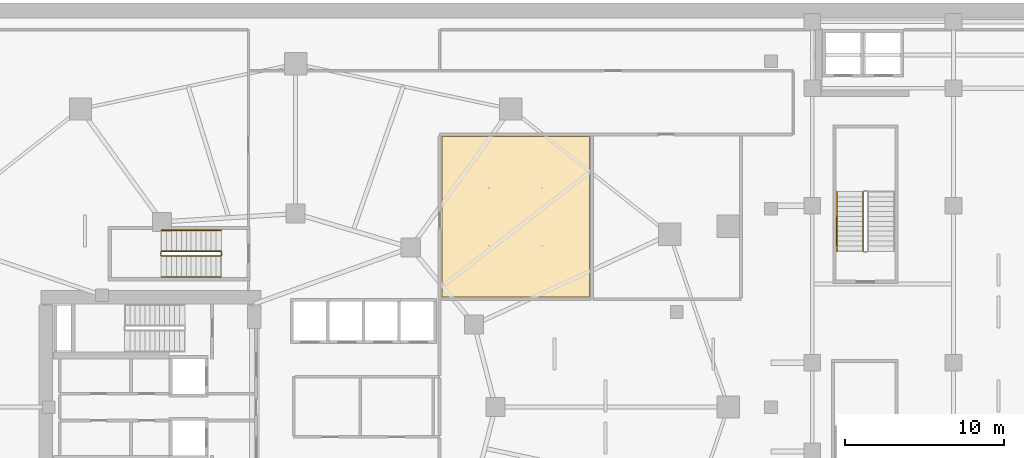
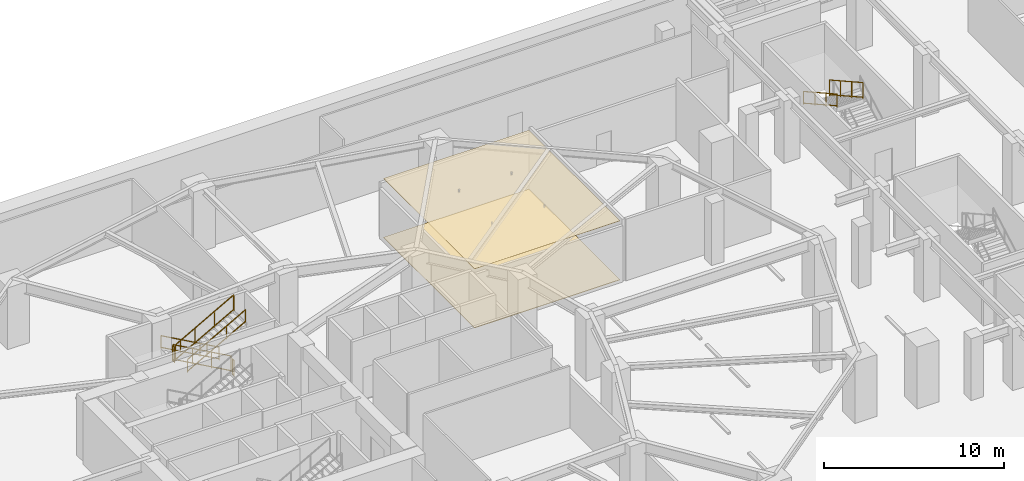
# One storey, part 14 of 16: 8 railings, 2 coverings.
"""IFC4 building model written with IfcOpenShell, lengths in metres."""

from ifc_helpers import new_model, si_unit, direction, frame, origin, origin_2d, place, context, subcontext, project, spatial, polyline, rectangle, outline, extrude, material, layer, layer_set, type_object, element, save


model = new_model("IFC4")

# Units and contexts
model_context = context("Model", 3, precision=1e-05, world=origin(), true_north=direction((0.0, 1.0)))
body_context = subcontext(model_context, "Body", "Model", "MODEL_VIEW")
ifc_project = project(units=[si_unit("LENGTHUNIT", "METRE"), si_unit("AREAUNIT", "SQUARE_METRE"), si_unit("VOLUMEUNIT", "CUBIC_METRE"), si_unit("PLANEANGLEUNIT", "RADIAN"), si_unit("MASSUNIT", "GRAM", prefix="KILO")], contexts=[model_context])

# Site, building, storey
site_placement = place(None, origin())
site = spatial("IfcSite", under=ifc_project, at=site_placement, CompositionType="ELEMENT")
building_placement = place(site_placement, origin())
building = spatial("IfcBuilding", under=site, at=building_placement, Name="Kolvaren Gate Tower and Convention Centre", CompositionType="ELEMENT")
storey_placement = place(building_placement, frame((0.0, 0.0, -9.0)))
storey = spatial("IfcBuildingStorey", under=building, at=storey_placement, Name="B2", CompositionType="ELEMENT", Elevation=-9.0)

# Coverings
ifc_material_1 = material(Name="Perforated Mineral-Fibre Acoustic Ceiling Tile 18 mm", Category="gypsum")
ifc_layer_1 = layer(ifc_material_1, 0.01806640625)
ifc_layer_set_1 = layer_set([ifc_layer_1], Name="Perforated Mineral-Fibre Acoustic Ceiling Tile 18 mm")
covering_type_1 = type_object("IfcCoveringType", Name="ARCH-COV-CEIL-18", PredefinedType="CEILING", material=ifc_layer_set_1)
covering_1_placement = place(storey_placement, frame((0.0, 0.0, 4.0)))
element("IfcCovering", 1, at=covering_1_placement, inside=storey, type_object=covering_type_1, Name="Central Chiller and Ice-Storage Plant Room Acoustic Suspended Ceiling", PredefinedType="CEILING", context=body_context, shape_type="SweptSolid", body=[
    extrude(outline(polyline([(39.340087890625, 33.93994140625), (39.340087890625, 44.06005859375), (48.659912109375, 44.06005859375), (48.659912109375, 33.93994140625), (39.340087890625, 33.93994140625)])), origin(), (0.0, 0.0, 1.0), 0.01806640625),
])
ifc_material_2 = material(Name="Honed Sabana Limestone Terrazzo Flooring 30 mm", Category="masonry")
ifc_layer_2 = layer(ifc_material_2, 0.030029296875)
ifc_layer_set_2 = layer_set([ifc_layer_2], Name="Honed Sabana Limestone Terrazzo Flooring 30 mm")
covering_type_2 = type_object("IfcCoveringType", Name="ARCH-COV-FLR-30", PredefinedType="FLOORING", material=ifc_layer_set_2)
covering_2_placement = place(storey_placement, origin())
element("IfcCovering", 2, at=covering_2_placement, inside=storey, type_object=covering_type_2, Name="Central Chiller and Ice-Storage Plant Room Interior Finish Flooring", PredefinedType="FLOORING", context=body_context, shape_type="SweptSolid", body=[
    extrude(outline(polyline([(39.340087890625, 33.93994140625), (39.340087890625, 44.06005859375), (48.659912109375, 44.06005859375), (48.659912109375, 33.93994140625), (39.340087890625, 33.93994140625)])), origin(), (0.0, 0.0, 1.0), 0.030029296875),
])

# Railings
ifc_material_3 = material(Name="Brushed Stainless Steel Grade 316L", Category="steel")
railing_type_1 = type_object("IfcRailingType", Name="ARCH-RL-GUARD-1150", PredefinedType="GUARDRAIL", material=ifc_material_3)
railing_1_placement = place(storey_placement, frame((25.39990234375, 36.830078125, 0.173095703125)))
element("IfcRailing", 3, at=railing_1_placement, inside=storey, type_object=railing_type_1, Name="B2 ST-T3 stair guard 1", PredefinedType="GUARDRAIL", context=body_context, shape_type="SweptSolid", body=[
    extrude(rectangle(XDim=0.048095703125, YDim=0.048095703125, at=origin_2d()), frame((0.0, 0.0, 1.076171875), z_axis=(-0.873133609054, 0.0, 0.487480974747), x_axis=(0.0, -1.0, 0.0)), (0.0, 0.0, 1.0), 4.260498046875),
    extrude(rectangle(XDim=0.048095703125, YDim=0.048095703125, at=origin_2d()), frame((0.0, 0.0, 0.083984375), z_axis=(-0.873133609054, 0.0, 0.487480974747), x_axis=(0.0, -1.0, 0.0)), (0.0, 0.0, 1.0), 4.260498046875),
    extrude(rectangle(XDim=0.0419921875, YDim=0.0419921875, at=origin_2d()), origin(), (0.0, 0.0, 1.0), 1.050048828125),
    extrude(rectangle(XDim=0.0419921875, YDim=0.0419921875, at=origin_2d()), frame((-3.719970703125, 0.0, 2.076904296875)), (0.0, 0.0, 1.0), 1.050048828125),
    extrude(rectangle(XDim=0.0419921875, YDim=0.0419921875, at=origin_2d()), frame((-1.239990234375, 0.0, 0.6923828125)), (0.0, 0.0, 1.0), 1.050048828125),
    extrude(rectangle(XDim=0.0419921875, YDim=0.0419921875, at=origin_2d()), frame((-2.47998046875, 0.0, 1.384521484375)), (0.0, 0.0, 1.0), 1.050048828125),
])
railing_2_placement = place(storey_placement, frame((21.6298828125, 36.780029296875, 2.25)))
element("IfcRailing", 4, at=railing_2_placement, inside=storey, type_object=railing_type_1, Name="B2 ST-T3 stair guard 2", PredefinedType="GUARDRAIL", context=body_context, shape_type="SweptSolid", body=[
    extrude(rectangle(XDim=0.048095703125, YDim=0.048095703125, at=origin_2d()), frame((0.0, 0.0, 1.076171875), z_axis=(0.0, -1.0, 0.0), x_axis=(1.0, 0.0, 0.0)), (0.0, 0.0, 1.0), 0.199951171875),
    extrude(rectangle(XDim=0.048095703125, YDim=0.048095703125, at=origin_2d()), frame((0.0, 0.0, 0.083984375), z_axis=(0.0, -1.0, 0.0), x_axis=(1.0, 0.0, 0.0)), (0.0, 0.0, 1.0), 0.199951171875),
    extrude(rectangle(XDim=0.0419921875, YDim=0.0419921875, at=origin_2d()), origin(), (0.0, 0.0, 1.0), 1.050048828125),
    extrude(rectangle(XDim=0.0419921875, YDim=0.0419921875, at=origin_2d()), frame((0.0, -0.199951171875, 0.0)), (0.0, 0.0, 1.0), 1.050048828125),
])
railing_3_placement = place(storey_placement, frame((21.679931640625, 36.530029296875, 2.423095703125)))
element("IfcRailing", 5, at=railing_3_placement, inside=storey, type_object=railing_type_1, Name="B2 ST-T3 stair guard 3", PredefinedType="GUARDRAIL", context=body_context, shape_type="SweptSolid", body=[
    extrude(rectangle(XDim=0.048095703125, YDim=0.048095703125, at=origin_2d()), frame((0.0, 0.0, 1.076171875), z_axis=(0.873133609054, 0.0, 0.487480974747), x_axis=(0.0, 1.0, 0.0)), (0.0, 0.0, 1.0), 4.260498046875),
    extrude(rectangle(XDim=0.048095703125, YDim=0.048095703125, at=origin_2d()), frame((0.0, 0.0, 0.083984375), z_axis=(0.873133609054, 0.0, 0.487480974747), x_axis=(0.0, 1.0, 0.0)), (0.0, 0.0, 1.0), 4.260498046875),
    extrude(rectangle(XDim=0.0419921875, YDim=0.0419921875, at=origin_2d()), origin(), (0.0, 0.0, 1.0), 1.050048828125),
    extrude(rectangle(XDim=0.0419921875, YDim=0.0419921875, at=origin_2d()), frame((3.719970703125, 0.0, 2.076904296875)), (0.0, 0.0, 1.0), 1.050048828125),
    extrude(rectangle(XDim=0.0419921875, YDim=0.0419921875, at=origin_2d()), frame((1.239990234375, 0.0, 0.6923828125)), (0.0, 0.0, 1.0), 1.050048828125),
    extrude(rectangle(XDim=0.0419921875, YDim=0.0419921875, at=origin_2d()), frame((2.47998046875, 0.0, 1.384521484375)), (0.0, 0.0, 1.0), 1.050048828125),
])
railing_4_placement = place(storey_placement, frame((25.449951171875, 36.780029296875, 0.0)))
element("IfcRailing", 6, at=railing_4_placement, inside=storey, type_object=railing_type_1, Name="B2 ST-T3 stair guard 4", PredefinedType="GUARDRAIL", context=body_context, shape_type="SweptSolid", body=[
    extrude(rectangle(XDim=0.048095703125, YDim=0.048095703125, at=origin_2d()), frame((0.0, 0.0, 1.076171875), z_axis=(0.0, -1.0, 0.0), x_axis=(1.0, 0.0, 0.0)), (0.0, 0.0, 1.0), 0.199951171875),
    extrude(rectangle(XDim=0.048095703125, YDim=0.048095703125, at=origin_2d()), frame((0.0, 0.0, 0.083984375), z_axis=(0.0, -1.0, 0.0), x_axis=(1.0, 0.0, 0.0)), (0.0, 0.0, 1.0), 0.199951171875),
    extrude(rectangle(XDim=0.0419921875, YDim=0.0419921875, at=origin_2d()), origin(), (0.0, 0.0, 1.0), 1.050048828125),
    extrude(rectangle(XDim=0.0419921875, YDim=0.0419921875, at=origin_2d()), frame((0.0, -0.199951171875, 0.0)), (0.0, 0.0, 1.0), 1.050048828125),
])
railing_5_placement = place(storey_placement, frame((65.89990234375, 40.570068359375, 2.423095703125)))
element("IfcRailing", 7, at=railing_5_placement, inside=storey, type_object=railing_type_1, Name="B2 ST-C1 stair guard 3", PredefinedType="GUARDRAIL", context=body_context, shape_type="SweptSolid", body=[
    extrude(rectangle(XDim=0.048095703125, YDim=0.048095703125, at=origin_2d()), frame((0.0, 0.0, 1.076171875), z_axis=(0.0, -0.873133609054, 0.487480974747), x_axis=(1.0, 0.0, 0.0)), (0.0, 0.0, 1.0), 4.260498046875),
    extrude(rectangle(XDim=0.048095703125, YDim=0.048095703125, at=origin_2d()), frame((0.0, 0.0, 0.083984375), z_axis=(0.0, -0.873133609054, 0.487480974747), x_axis=(1.0, 0.0, 0.0)), (0.0, 0.0, 1.0), 4.260498046875),
    extrude(rectangle(XDim=0.0419921875, YDim=0.0419921875, at=origin_2d()), origin(), (0.0, 0.0, 1.0), 1.050048828125),
    extrude(rectangle(XDim=0.0419921875, YDim=0.0419921875, at=origin_2d()), frame((0.0, -3.719970703125, 2.076904296875)), (0.0, 0.0, 1.0), 1.050048828125),
    extrude(rectangle(XDim=0.0419921875, YDim=0.0419921875, at=origin_2d()), frame((0.0, -1.239990234375, 0.6923828125)), (0.0, 0.0, 1.0), 1.050048828125),
    extrude(rectangle(XDim=0.0419921875, YDim=0.0419921875, at=origin_2d()), frame((0.0, -2.47998046875, 1.384521484375)), (0.0, 0.0, 1.0), 1.050048828125),
])
railing_type_2 = type_object("IfcRailingType", Name="ARCH-RL-HANDRAIL-920", PredefinedType="HANDRAIL", material=ifc_material_3)
railing_6_placement = place(storey_placement, frame((25.39990234375, 38.14990234375, 0.173095703125)))
element("IfcRailing", 8, at=railing_6_placement, inside=storey, type_object=railing_type_2, Name="B2 ST-T3 stair handrail 1", PredefinedType="HANDRAIL", context=body_context, shape_type="SweptSolid", body=[
    extrude(rectangle(XDim=0.048095703125, YDim=0.048095703125, at=origin_2d()), frame((0.0, 0.0, 0.8759765625), z_axis=(-0.873133609054, 0.0, 0.487480974747), x_axis=(0.0, -1.0, 0.0)), (0.0, 0.0, 1.0), 4.260498046875),
    extrude(rectangle(XDim=0.048095703125, YDim=0.048095703125, at=origin_2d()), frame((0.0, 0.0, 0.083984375), z_axis=(-0.873133609054, 0.0, 0.487480974747), x_axis=(0.0, -1.0, 0.0)), (0.0, 0.0, 1.0), 4.260498046875),
    extrude(rectangle(XDim=0.0419921875, YDim=0.0419921875, at=origin_2d()), origin(), (0.0, 0.0, 1.0), 0.849853515625),
    extrude(rectangle(XDim=0.0419921875, YDim=0.0419921875, at=origin_2d()), frame((-3.719970703125, 0.0, 2.076904296875)), (0.0, 0.0, 1.0), 0.849853515625),
    extrude(rectangle(XDim=0.0419921875, YDim=0.0419921875, at=origin_2d()), frame((-1.239990234375, 0.0, 0.6923828125)), (0.0, 0.0, 1.0), 0.849853515625),
    extrude(rectangle(XDim=0.0419921875, YDim=0.0419921875, at=origin_2d()), frame((-2.47998046875, 0.0, 1.384521484375)), (0.0, 0.0, 1.0), 0.849853515625),
])
railing_7_placement = place(storey_placement, frame((21.679931640625, 35.2099609375, 2.423095703125)))
element("IfcRailing", 9, at=railing_7_placement, inside=storey, type_object=railing_type_2, Name="B2 ST-T3 stair handrail 2", PredefinedType="HANDRAIL", context=body_context, shape_type="SweptSolid", body=[
    extrude(rectangle(XDim=0.048095703125, YDim=0.048095703125, at=origin_2d()), frame((0.0, 0.0, 0.8759765625), z_axis=(0.873133609054, 0.0, 0.487480974747), x_axis=(0.0, 1.0, 0.0)), (0.0, 0.0, 1.0), 4.260498046875),
    extrude(rectangle(XDim=0.048095703125, YDim=0.048095703125, at=origin_2d()), frame((0.0, 0.0, 0.083984375), z_axis=(0.873133609054, 0.0, 0.487480974747), x_axis=(0.0, 1.0, 0.0)), (0.0, 0.0, 1.0), 4.260498046875),
    extrude(rectangle(XDim=0.0419921875, YDim=0.0419921875, at=origin_2d()), origin(), (0.0, 0.0, 1.0), 0.849853515625),
    extrude(rectangle(XDim=0.0419921875, YDim=0.0419921875, at=origin_2d()), frame((3.719970703125, 0.0, 2.076904296875)), (0.0, 0.0, 1.0), 0.849853515625),
    extrude(rectangle(XDim=0.0419921875, YDim=0.0419921875, at=origin_2d()), frame((1.239990234375, 0.0, 0.6923828125)), (0.0, 0.0, 1.0), 0.849853515625),
    extrude(rectangle(XDim=0.0419921875, YDim=0.0419921875, at=origin_2d()), frame((2.47998046875, 0.0, 1.384521484375)), (0.0, 0.0, 1.0), 0.849853515625),
])
railing_8_placement = place(storey_placement, frame((64.25, 40.570068359375, 2.423095703125)))
element("IfcRailing", 10, at=railing_8_placement, inside=storey, type_object=railing_type_2, Name="B2 ST-C1 stair handrail 2", PredefinedType="HANDRAIL", context=body_context, shape_type="SweptSolid", body=[
    extrude(rectangle(XDim=0.048095703125, YDim=0.048095703125, at=origin_2d()), frame((0.0, 0.0, 0.8759765625), z_axis=(0.0, -0.873133609054, 0.487480974747), x_axis=(1.0, 0.0, 0.0)), (0.0, 0.0, 1.0), 4.260498046875),
    extrude(rectangle(XDim=0.048095703125, YDim=0.048095703125, at=origin_2d()), frame((0.0, 0.0, 0.083984375), z_axis=(0.0, -0.873133609054, 0.487480974747), x_axis=(1.0, 0.0, 0.0)), (0.0, 0.0, 1.0), 4.260498046875),
    extrude(rectangle(XDim=0.0419921875, YDim=0.0419921875, at=origin_2d()), origin(), (0.0, 0.0, 1.0), 0.849853515625),
    extrude(rectangle(XDim=0.0419921875, YDim=0.0419921875, at=origin_2d()), frame((0.0, -3.719970703125, 2.076904296875)), (0.0, 0.0, 1.0), 0.849853515625),
    extrude(rectangle(XDim=0.0419921875, YDim=0.0419921875, at=origin_2d()), frame((0.0, -1.239990234375, 0.6923828125)), (0.0, 0.0, 1.0), 0.849853515625),
    extrude(rectangle(XDim=0.0419921875, YDim=0.0419921875, at=origin_2d()), frame((0.0, -2.47998046875, 1.384521484375)), (0.0, 0.0, 1.0), 0.849853515625),
])

save(model, "model.ifc")
